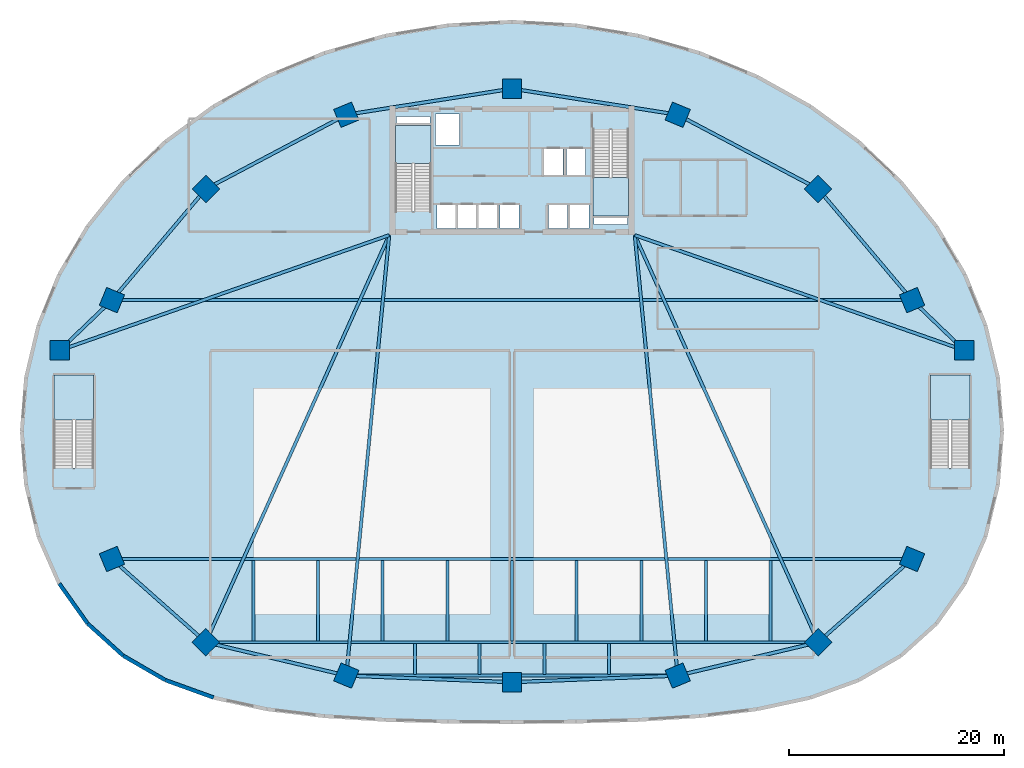
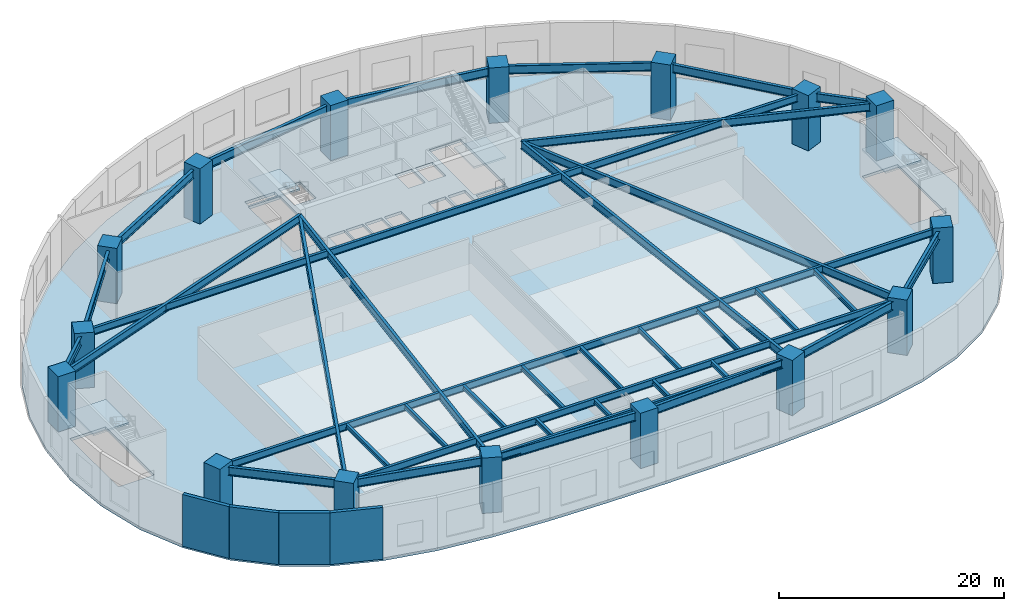
# One storey, part 1 of 10: 37 beams, 16 columns, 5 slabs, 4 walls, 4 elements without a shape of their own.
"""IFC4 building model written with IfcOpenShell, lengths in metres."""

import ifcopenshell
import ifcopenshell.guid

model = None  # the IFC model being written
_history = None  # IfcOwnerHistory: only IFC2X3 demands one
_inside = {}  # id of a spatial element -> (the spatial element, [elements in it])
_under = {}  # id of a project, library or spatial element -> (it, [spatial elements below it])
_declared = {}  # id of a project -> (the project, [libraries it declares])
_typed = {}  # id of a type object -> (the type object, [elements of that type])
_made_of = {}  # id of a material, layer set ... -> (it, [elements and type objects made of it])


def new_model(schema):
    """Start an empty IFC model of exactly this schema.

    Asked for "IFC4X3", IfcOpenShell would pick the latest addendum, in which some entities
    have other attributes; the version numbers below select the first issue.
    IFC2X3 requires an IfcOwnerHistory on every rooted entity: one is made here for all.
    """
    global model, _history
    if schema == "IFC4X3":
        model = ifcopenshell.file(schema_version=(4, 3, 0, 0))
    else:
        model = ifcopenshell.file(schema=schema)
    _inside.clear()
    _under.clear()
    _declared.clear()
    _typed.clear()
    _made_of.clear()
    _history = None
    if model.schema == "IFC2X3":
        org = make("IfcOrganization", Name="unknown")
        user = make(
            "IfcPersonAndOrganization",
            ThePerson=make("IfcPerson", FamilyName="unknown"),
            TheOrganization=org,
        )
        app = make(
            "IfcApplication",
            ApplicationDeveloper=org,
            Version="unknown",
            ApplicationFullName="unknown",
            ApplicationIdentifier="unknown",
        )
        _history = make(
            "IfcOwnerHistory",
            OwningUser=user,
            OwningApplication=app,
            ChangeAction="ADDED",
            CreationDate=0,
        )
    return model


def make(cls, **values):
    """One entity of the class cls with the attributes given. An attribute that is None is left unset."""
    return model.create_entity(
        cls, **{name: value for name, value in values.items() if value is not None}
    )


def rooted(cls, **values):
    """An entity with a GlobalId (a new one), such as an element, a storey or a relation."""
    return make(cls, GlobalId=ifcopenshell.guid.new(), OwnerHistory=_history, **values)


def si_unit(unit_type, name, prefix=None):
    """IfcSIUnit, for example si_unit("LENGTHUNIT", "METRE", prefix="MILLI")."""
    return make("IfcSIUnit", UnitType=unit_type, Prefix=prefix, Name=name)


def assignment(units):
    """IfcUnitAssignment: the units of a project."""
    return None if units is None else make("IfcUnitAssignment", Units=units)


def point(xyz):
    """IfcCartesianPoint."""
    return None if xyz is None else make("IfcCartesianPoint", Coordinates=xyz)


def direction(xyz):
    """IfcDirection."""
    return None if xyz is None else make("IfcDirection", DirectionRatios=xyz)


def frame(location, z_axis=None, x_axis=None):
    """IfcAxis2Placement3D, a coordinate frame: its origin and axes. An axis left out is left unset."""
    return make(
        "IfcAxis2Placement3D",
        Location=point(location),
        Axis=direction(z_axis),
        RefDirection=direction(x_axis),
    )


def frame_2d(location, x_axis=None):
    """IfcAxis2Placement2D, a coordinate frame in the plane: its origin and x axis."""
    return make(
        "IfcAxis2Placement2D", Location=point(location), RefDirection=direction(x_axis)
    )


def origin():
    """The frame at (0, 0, 0) with its axes left unset."""
    return frame((0.0, 0.0, 0.0))


def origin_2d():
    """The frame at (0, 0) in the plane with its x axis left unset."""
    return frame_2d((0.0, 0.0))


def place(relative_to, where):
    """IfcLocalPlacement: puts the frame where relative to a parent placement (None: the world)."""
    return make(
        "IfcLocalPlacement", PlacementRelTo=relative_to, RelativePlacement=where
    )


def context(
    kind, dimensions, precision=None, world=None, true_north=None, identifier=None
):
    """IfcGeometricRepresentationContext, for example the 3D "Model" context."""
    return make(
        "IfcGeometricRepresentationContext",
        ContextIdentifier=identifier,
        ContextType=kind,
        CoordinateSpaceDimension=dimensions,
        Precision=precision,
        WorldCoordinateSystem=world,
        TrueNorth=true_north,
    )


def subcontext(parent, identifier, kind, view, scale=None):
    """IfcGeometricRepresentationSubContext, for example "Body" below "Model"."""
    return make(
        "IfcGeometricRepresentationSubContext",
        ContextIdentifier=identifier,
        ContextType=kind,
        ParentContext=parent,
        TargetScale=scale,
        TargetView=view,
    )


def project(units=None, contexts=None):
    """IfcProject with its units and contexts."""
    return rooted(
        "IfcProject",
        Name="project",
        RepresentationContexts=contexts,
        UnitsInContext=assignment(units),
    )


def spatial(cls, under=None, at=None, **own):
    """A site, building, storey or space (cls), placed at a placement, below another one or the project."""
    s = rooted(cls, ObjectPlacement=at, **own)
    if under is not None:
        _under.setdefault(under.id(), (under, []))[1].append(s)
    return s


def polyline(points):
    """IfcPolyline through the points."""
    return make("IfcPolyline", Points=[point(p) for p in points])


def profile(cls, at=None, kind="AREA", **sizes):
    """A parametric profile (cls). Its sizes go by their IFC names, for example OverallWidth=200.0."""
    return make(cls, ProfileType=kind, Position=at, **sizes)


def rectangle(**sizes):
    """IfcRectangleProfileDef."""
    return profile("IfcRectangleProfileDef", **sizes)


def i_section(**sizes):
    """IfcIShapeProfileDef."""
    return profile("IfcIShapeProfileDef", **sizes)


def outline(outer, holes=None, kind="AREA"):
    """IfcArbitraryClosedProfileDef: a profile drawn as a closed curve; with holes, ...WithVoids."""
    if holes is None:
        return make("IfcArbitraryClosedProfileDef", ProfileType=kind, OuterCurve=outer)
    return make(
        "IfcArbitraryProfileDefWithVoids",
        ProfileType=kind,
        OuterCurve=outer,
        InnerCurves=holes,
    )


def extrude(swept, where, along, depth):
    """IfcExtrudedAreaSolid: the profile swept, set in the frame where, extruded along a direction by depth."""
    return make(
        "IfcExtrudedAreaSolid",
        SweptArea=swept,
        Position=where,
        ExtrudedDirection=direction(along),
        Depth=depth,
    )


def shape(context_of_items, identifier, shape_type, items):
    """IfcShapeRepresentation: the items that make up one representation, for example the "Body"."""
    return make(
        "IfcShapeRepresentation",
        ContextOfItems=context_of_items,
        RepresentationIdentifier=identifier,
        RepresentationType=shape_type,
        Items=items,
    )


def source(mapping_origin, context_of_items, identifier, shape_type, items):
    """IfcRepresentationMap: a shape defined once, which mapped items show again and again."""
    return make(
        "IfcRepresentationMap",
        MappingOrigin=mapping_origin,
        MappedRepresentation=shape(context_of_items, identifier, shape_type, items),
    )


def transform(
    local_origin,
    x_axis=None,
    y_axis=None,
    z_axis=None,
    scale=None,
    scale2=None,
    scale3=None,
    uniform=True,
):
    """IfcCartesianTransformationOperator3D, or its non-uniform kind. x_axis, y_axis, z_axis: its Axis1, 2, 3."""
    if uniform:
        return make(
            "IfcCartesianTransformationOperator3D",
            Axis1=direction(x_axis),
            Axis2=direction(y_axis),
            LocalOrigin=point(local_origin),
            Scale=scale,
            Axis3=direction(z_axis),
        )
    return make(
        "IfcCartesianTransformationOperator3DnonUniform",
        Axis1=direction(x_axis),
        Axis2=direction(y_axis),
        LocalOrigin=point(local_origin),
        Scale=scale,
        Axis3=direction(z_axis),
        Scale2=scale2,
        Scale3=scale3,
    )


def mapped(mapping_source, mapping_target):
    """IfcMappedItem: shows the shape of a source again, moved by a transform."""
    return make(
        "IfcMappedItem", MappingSource=mapping_source, MappingTarget=mapping_target
    )


def material(Name=None, Category=None):
    """IfcMaterial."""
    return make("IfcMaterial", Name=Name, Category=Category)


def layer(
    of_material, thickness, ventilated=None, Name=None, Category=None, Priority=None
):
    """IfcMaterialLayer: one layer of a wall or slab, of a material (None: an air gap)."""
    return make(
        "IfcMaterialLayer",
        Material=of_material,
        LayerThickness=thickness,
        IsVentilated=ventilated,
        Name=Name,
        Category=Category,
        Priority=Priority,
    )


def layer_set(layers, Name=None):
    """IfcMaterialLayerSet."""
    return make("IfcMaterialLayerSet", MaterialLayers=layers, LayerSetName=Name)


def material_profile(
    of_material, cross_section, Name=None, Category=None, Priority=None
):
    """IfcMaterialProfile: a cross section and its material."""
    return make(
        "IfcMaterialProfile",
        Name=Name,
        Material=of_material,
        Profile=cross_section,
        Priority=Priority,
        Category=Category,
    )


def profile_set(profiles, Name=None, composite=None):
    """IfcMaterialProfileSet."""
    return make(
        "IfcMaterialProfileSet",
        Name=Name,
        MaterialProfiles=profiles,
        CompositeProfile=composite,
    )


def made_of(thing, what):
    """Note that an element or type object is made of a material, layer set ...; save() writes the relation."""
    if what is not None:
        _made_of.setdefault(what.id(), (what, []))[1].append(thing)
    return thing


def type_object(cls, material=None, **own):
    """A type object (cls), such as IfcWallType, which elements share."""
    return made_of(rooted(cls, **own), material)


def type_shapes(of_type, sources):
    """Give a type object the sources (RepresentationMaps) that its elements show as mapped items."""
    of_type.RepresentationMaps = sources


def element(
    cls,
    number,
    at=None,
    inside=None,
    cuts=None,
    type_object=None,
    material=None,
    context=None,
    identifier="Body",
    shape_type=None,
    held_by="IfcProductDefinitionShape",
    body=None,
    shapes=None,
    **own,
):
    """One element of the class cls, such as IfcWall. Its Tag is "e" and its number.

    at: its placement. inside: the storey or other place that contains it. cuts: it is an
    opening in that element (IfcRelVoidsElement). A single representation is given by context,
    identifier, shape_type and body (its items); several are given by shapes. held_by: the class
    of the entity that holds the representations. save() writes the other relations.
    """
    e = rooted(cls, Tag="e%d" % number, ObjectPlacement=at, **own)
    if body is not None:
        shapes = [shape(context, identifier, shape_type, body)]
    if shapes is not None:
        e.Representation = make(held_by, Representations=shapes)
    if inside is not None:
        _inside.setdefault(inside.id(), (inside, []))[1].append(e)
    if cuts is not None:
        rooted(
            "IfcRelVoidsElement", RelatingBuildingElement=cuts, RelatedOpeningElement=e
        )
    if type_object is not None:
        _typed.setdefault(type_object.id(), (type_object, []))[1].append(e)
    return made_of(e, material)


def aggregate(whole, parts):
    """IfcRelAggregates: a whole, such as a stair, and the parts it consists of."""
    return rooted("IfcRelAggregates", RelatingObject=whole, RelatedObjects=parts)


def save(model, path):
    """Write the relations noted so far, then the file.

    IfcRelAggregates (storeys below a building ...), IfcRelContainedInSpatialStructure (elements
    in a storey), IfcRelDefinesByType, IfcRelAssociatesMaterial and IfcRelDeclares: one each for
    every whole, place, type object, material and project.
    """
    for whole, parts in _under.values():
        aggregate(whole, parts)
    for where, things in _inside.values():
        rooted(
            "IfcRelContainedInSpatialStructure",
            RelatedElements=things,
            RelatingStructure=where,
        )
    for kind, things in _typed.values():
        rooted("IfcRelDefinesByType", RelatedObjects=things, RelatingType=kind)
    for what, things in _made_of.values():
        rooted("IfcRelAssociatesMaterial", RelatedObjects=things, RelatingMaterial=what)
    for by, libraries in _declared.values():
        rooted("IfcRelDeclares", RelatingContext=by, RelatedDefinitions=libraries)
    model.write(path)


model = new_model("IFC4")

# Units and contexts
model_context = context("Model", 3, precision=1e-05, world=origin(), true_north=direction((0.0, 1.0)))
body_context = subcontext(model_context, "Body", "Model", "MODEL_VIEW")
ifc_project = project(units=[si_unit("LENGTHUNIT", "METRE"), si_unit("AREAUNIT", "SQUARE_METRE"), si_unit("VOLUMEUNIT", "CUBIC_METRE"), si_unit("PLANEANGLEUNIT", "RADIAN"), si_unit("MASSUNIT", "GRAM", prefix="KILO")], contexts=[model_context])

# Site, building, storey
site_placement = place(None, origin())
site = spatial("IfcSite", under=ifc_project, at=site_placement, CompositionType="ELEMENT")
building_placement = place(site_placement, origin())
building = spatial("IfcBuilding", under=site, at=building_placement, Name="Breltana Convention Tower", CompositionType="ELEMENT")
storey_placement = place(building_placement, frame((0.0, 0.0, 18.0)))
storey = spatial("IfcBuildingStorey", under=building, at=storey_placement, Name="L03", CompositionType="ELEMENT", Elevation=18.0)

# Columns
ifc_material_1 = material(Name="Concrete C60/75", Category="concrete")
ifc_material_profile_1 = material_profile(ifc_material_1, rectangle(XDim=1.800048828125, YDim=1.800048828125, at=origin_2d()), Name="RC-COL-1800X1800")
ifc_profile_set_1 = profile_set([ifc_material_profile_1], Name="Concrete C60/75")
column_type = type_object("IfcColumnType", Name="COL-MC-1800", PredefinedType="COLUMN", material=ifc_profile_set_1)
shared_shape_1 = source(origin(), body_context, "Body", "SweptSolid", [
    extrude(rectangle(XDim=1.800048828125, YDim=1.800048828125, at=origin_2d()), origin(), (0.0, 0.0, 1.0), 6.0),
])
type_shapes(column_type, [shared_shape_1])
for number, where, z_axis, x_axis, name in (
    (1, (90.0, 49.5, 0.0), (0.0, 0.0, 1.0), (1.0, 0.0, 0.0), "L03 Podium Mega-Column MC-01"),
    (2, (85.139892578125, 54.169189453125, 0.0), (0.0, 0.0, 1.0), (0.923879532511, 0.382683432365, 0.0), "L03 Podium Mega-Column MC-02"),
    (3, (76.42578125, 64.486083984375, 0.0), (0.0, 0.0, 1.0), (0.707106781187, 0.707106781187, 0.0), "L03 Podium Mega-Column MC-03"),
    (4, (63.3837890625, 71.37939453125, 0.0), (0.0, 0.0, 1.0), (0.382683432365, 0.923879532511, 0.0), "L03 Podium Mega-Column MC-04"),
    (5, (48.0, 73.800048828125, 0.0), (0.0, 0.0, 1.0), (0.0, 1.0, 0.0), "L03 Podium Mega-Column MC-05"),
    (6, (32.6162109375, 71.37939453125, 0.0), (0.0, 0.0, 1.0), (-0.382683432365, 0.923879532511, 0.0), "L03 Podium Mega-Column MC-06"),
    (7, (19.57421875, 64.486083984375, 0.0), (0.0, 0.0, 1.0), (-0.707106781187, 0.707106781187, 0.0), "L03 Podium Mega-Column MC-07"),
    (8, (10.860107421875, 54.169189453125, 0.0), (0.0, 0.0, 1.0), (-0.923879532511, 0.382683432365, 0.0), "L03 Podium Mega-Column MC-08"),
    (9, (6.0, 49.5, 0.0), (0.0, 0.0, 1.0), (-1.0, 0.0, 0.0), "L03 Podium Mega-Column MC-09"),
    (10, (10.860107421875, 30.136962890625, 0.0), (0.0, 0.0, 1.0), (-0.923879532511, -0.382683432365, 0.0), "L03 Podium Mega-Column MC-10"),
    (11, (19.57421875, 22.412109375, 0.0), (0.0, 0.0, 1.0), (-0.707106781187, -0.707106781187, 0.0), "L03 Podium Mega-Column MC-11"),
    (12, (32.6162109375, 19.3125, 0.0), (0.0, 0.0, 1.0), (-0.382683432365, -0.923879532511, 0.0), "L03 Podium Mega-Column MC-12"),
    (13, (48.0, 18.699951171875, 0.0), (0.0, 0.0, 1.0), (0.0, -1.0, 0.0), "L03 Podium Mega-Column MC-13"),
    (14, (63.3837890625, 19.3125, 0.0), (0.0, 0.0, 1.0), (0.382683432365, -0.923879532511, 0.0), "L03 Podium Mega-Column MC-14"),
    (15, (76.42578125, 22.412109375, 0.0), (0.0, 0.0, 1.0), (0.707106781187, -0.707106781187, 0.0), "L03 Podium Mega-Column MC-15"),
    (16, (85.139892578125, 30.136962890625, 0.0), (0.0, 0.0, 1.0), (0.923879532511, -0.382683432365, 0.0), "L03 Podium Mega-Column MC-16"),
):
    element("IfcColumn", number, at=place(storey_placement, frame(where, z_axis=z_axis, x_axis=x_axis)), inside=storey, type_object=column_type, Name=name, PredefinedType="COLUMN", context=body_context, shape_type="MappedRepresentation", body=[
        mapped(shared_shape_1, transform((0.0, 0.0, 0.0), scale=1.0)),
    ])

# Beams
ifc_material_2 = material(Name="Steel ASTM A992 Grade 50", Category="steel")
ifc_material_profile_2 = material_profile(ifc_material_2, i_section(OverallWidth=0.304931640625, OverallDepth=0.9189453125, WebThickness=0.017333984375, FlangeThickness=0.02783203125, at=origin_2d()), Name="W36X170")
ifc_profile_set_2 = profile_set([ifc_material_profile_2], Name="Steel ASTM A992 Grade 50")
beam_type_1 = type_object("IfcBeamType", Name="BM-PD-W36X170", PredefinedType="USERDEFINED", material=ifc_profile_set_2)
shared_shape_2 = source(origin(), body_context, "Body", "SweptSolid", [
    extrude(i_section(OverallWidth=0.304931640625, OverallDepth=0.9189453125, WebThickness=0.017333984375, FlangeThickness=0.02783203125, at=origin_2d()), origin(), (0.0, 0.0, 1.0), 6.739501953125),
])
type_shapes(beam_type_1, [shared_shape_2])
for number, where, z_axis, x_axis, name in (
    (17, (90.0, 49.5, 5.160400390625), (-0.721128840463, 0.692800978242, 0.0), (-0.692800978242, -0.721128840463, 0.0), "L03 Podium Ring Girder 01"),
    (18, (10.860107421875, 54.169189453125, 5.160400390625), (-0.721128840463, -0.692800978242, 0.0), (0.692800978242, -0.721128840463, 0.0), "L03 Podium Ring Girder 08"),
):
    element("IfcBeam", number, at=place(storey_placement, frame(where, z_axis=z_axis, x_axis=x_axis)), inside=storey, type_object=beam_type_1, Name=name, ObjectType="GIRDER", PredefinedType="USERDEFINED", context=body_context, shape_type="MappedRepresentation", body=[
        mapped(shared_shape_2, transform((0.0, 0.0, 0.0), scale=1.0)),
    ])
shared_shape_3 = source(origin(), body_context, "Body", "SweptSolid", [
    extrude(i_section(OverallWidth=0.304931640625, OverallDepth=0.9189453125, WebThickness=0.017333984375, FlangeThickness=0.02783203125, at=origin_2d()), origin(), (0.0, 0.0, 1.0), 13.504638671875),
])
for number, where, z_axis, x_axis, name in (
    (19, (85.139892578125, 54.169189453125, 5.160400390625), (-0.645270162831, 0.763954460004, 0.0), (-0.763954460004, -0.645270162831, 0.0), "L03 Podium Ring Girder 02"),
    (20, (19.57421875, 64.486083984375, 5.160400390625), (-0.645270162831, -0.763954460004, 0.0), (0.763954460004, -0.645270162831, 0.0), "L03 Podium Ring Girder 07"),
):
    element("IfcBeam", number, at=place(storey_placement, frame(where, z_axis=z_axis, x_axis=x_axis)), inside=storey, type_object=beam_type_1, Name=name, ObjectType="GIRDER", PredefinedType="USERDEFINED", context=body_context, shape_type="MappedRepresentation", body=[
        mapped(shared_shape_3, transform((0.0, 0.0, 0.0), scale=1.0)),
    ])
shared_shape_4 = source(origin(), body_context, "Body", "SweptSolid", [
    extrude(i_section(OverallWidth=0.304931640625, OverallDepth=0.9189453125, WebThickness=0.017333984375, FlangeThickness=0.02783203125, at=origin_2d()), origin(), (0.0, 0.0, 1.0), 14.751708984375),
])
for number, where, z_axis, x_axis, name in (
    (21, (76.42578125, 64.486083984375, 5.160400390625), (-0.884103731281, 0.467290693611, 0.0), (-0.467290693611, -0.884103731281, 0.0), "L03 Podium Ring Girder 03"),
    (22, (32.6162109375, 71.37939453125, 5.160400390625), (-0.884103731281, -0.467290693611, 0.0), (0.467290693611, -0.884103731281, 0.0), "L03 Podium Ring Girder 06"),
):
    element("IfcBeam", number, at=place(storey_placement, frame(where, z_axis=z_axis, x_axis=x_axis)), inside=storey, type_object=beam_type_1, Name=name, ObjectType="GIRDER", PredefinedType="USERDEFINED", context=body_context, shape_type="MappedRepresentation", body=[
        mapped(shared_shape_4, transform((0.0, 0.0, 0.0), scale=1.0)),
    ])
shared_shape_5 = source(origin(), body_context, "Body", "SweptSolid", [
    extrude(i_section(OverallWidth=0.304931640625, OverallDepth=0.9189453125, WebThickness=0.017333984375, FlangeThickness=0.02783203125, at=origin_2d()), origin(), (0.0, 0.0, 1.0), 15.572998046875),
])
for number, where, z_axis, x_axis, name in (
    (23, (63.3837890625, 71.37939453125, 5.160400390625), (-0.987845575975, 0.155438470225, 0.0), (-0.155438470225, -0.987845575975, 0.0), "L03 Podium Ring Girder 04"),
    (24, (48.0, 73.800048828125, 5.160400390625), (-0.987845575975, -0.155438470225, 0.0), (0.155438470225, -0.987845575975, 0.0), "L03 Podium Ring Girder 05"),
):
    element("IfcBeam", number, at=place(storey_placement, frame(where, z_axis=z_axis, x_axis=x_axis)), inside=storey, type_object=beam_type_1, Name=name, ObjectType="GIRDER", PredefinedType="USERDEFINED", context=body_context, shape_type="MappedRepresentation", body=[
        mapped(shared_shape_5, transform((0.0, 0.0, 0.0), scale=1.0)),
    ])
shared_shape_6 = source(origin(), body_context, "Body", "SweptSolid", [
    extrude(i_section(OverallWidth=0.304931640625, OverallDepth=0.9189453125, WebThickness=0.017333984375, FlangeThickness=0.02783203125, at=origin_2d()), origin(), (0.0, 0.0, 1.0), 11.64501953125),
])
for number, where, z_axis, x_axis, name in (
    (25, (10.860107421875, 30.136962890625, 5.160400390625), (0.748305074373, -0.663354743458, 0.0), (0.663354743458, 0.748305074373, 0.0), "L03 Podium Ring Girder 10"),
    (26, (76.42578125, 22.412109375, 5.160400390625), (0.748305074373, 0.663354743458, 0.0), (-0.663354743458, 0.748305074373, 0.0), "L03 Podium Ring Girder 15"),
):
    element("IfcBeam", number, at=place(storey_placement, frame(where, z_axis=z_axis, x_axis=x_axis)), inside=storey, type_object=beam_type_1, Name=name, ObjectType="GIRDER", PredefinedType="USERDEFINED", context=body_context, shape_type="MappedRepresentation", body=[
        mapped(shared_shape_6, transform((0.0, 0.0, 0.0), scale=1.0)),
    ])
shared_shape_7 = source(origin(), body_context, "Body", "SweptSolid", [
    extrude(i_section(OverallWidth=0.304931640625, OverallDepth=0.9189453125, WebThickness=0.017333984375, FlangeThickness=0.02783203125, at=origin_2d()), origin(), (0.0, 0.0, 1.0), 13.4052734375),
])
for number, where, z_axis, x_axis, name in (
    (27, (19.57421875, 22.412109375, 5.160400390625), (0.972900712446, -0.231223276773, 0.0), (0.231223276773, 0.972900712446, 0.0), "L03 Podium Ring Girder 11"),
    (28, (63.3837890625, 19.3125, 5.160400390625), (0.972900712446, 0.231223276773, 0.0), (-0.231223276773, 0.972900712446, 0.0), "L03 Podium Ring Girder 14"),
):
    element("IfcBeam", number, at=place(storey_placement, frame(where, z_axis=z_axis, x_axis=x_axis)), inside=storey, type_object=beam_type_1, Name=name, ObjectType="GIRDER", PredefinedType="USERDEFINED", context=body_context, shape_type="MappedRepresentation", body=[
        mapped(shared_shape_7, transform((0.0, 0.0, 0.0), scale=1.0)),
    ])
shared_shape_8 = source(origin(), body_context, "Body", "SweptSolid", [
    extrude(i_section(OverallWidth=0.304931640625, OverallDepth=0.9189453125, WebThickness=0.017333984375, FlangeThickness=0.02783203125, at=origin_2d()), origin(), (0.0, 0.0, 1.0), 15.39599609375),
])
for number, where, z_axis, x_axis, name in (
    (29, (32.6162109375, 19.3125, 5.160400390625), (0.99920821229, -0.039786285226, 0.0), (0.039786285226, 0.99920821229, 0.0), "L03 Podium Ring Girder 12"),
    (30, (48.0, 18.699951171875, 5.160400390625), (0.99920821229, 0.039786285226, 0.0), (-0.039786285226, 0.99920821229, 0.0), "L03 Podium Ring Girder 13"),
):
    element("IfcBeam", number, at=place(storey_placement, frame(where, z_axis=z_axis, x_axis=x_axis)), inside=storey, type_object=beam_type_1, Name=name, ObjectType="GIRDER", PredefinedType="USERDEFINED", context=body_context, shape_type="MappedRepresentation", body=[
        mapped(shared_shape_8, transform((0.0, 0.0, 0.0), scale=1.0)),
    ])
ifc_material_profile_3 = material_profile(ifc_material_2, i_section(OverallWidth=0.2919921875, OverallDepth=0.845947265625, WebThickness=0.015380859375, FlangeThickness=0.0244140625, at=origin_2d()), Name="W33X141")
ifc_profile_set_3 = profile_set([ifc_material_profile_3], Name="Steel ASTM A992 Grade 50")
beam_type_2 = type_object("IfcBeamType", Name="BM-PD-W33X141", PredefinedType="USERDEFINED", material=ifc_profile_set_3)
shared_shape_9 = source(origin(), body_context, "Body", "SweptSolid", [
    extrude(i_section(OverallWidth=0.2919921875, OverallDepth=0.845947265625, WebThickness=0.015380859375, FlangeThickness=0.0244140625, at=origin_2d()), origin(), (0.0, 0.0, 1.0), 32.4169921875),
])
type_shapes(beam_type_2, [shared_shape_9])
for number, where, z_axis, x_axis, name in (
    (31, (90.0, 49.5, 5.197021484375), (-0.943955299763, 0.330073313143, 0.0), (-0.330073313143, -0.943955299763, 0.0), "L03 Long-Span Convention Girder 01"),
    (32, (6.0, 49.5, 5.197021484375), (0.943955299763, 0.330073313143, 0.0), (-0.330073313143, 0.943955299763, 0.0), "L03 Long-Span Convention Girder 09"),
):
    element("IfcBeam", number, at=place(storey_placement, frame(where, z_axis=z_axis, x_axis=x_axis)), inside=storey, type_object=beam_type_2, Name=name, ObjectType="GIRDER", PredefinedType="USERDEFINED", context=body_context, shape_type="MappedRepresentation", body=[
        mapped(shared_shape_9, transform((0.0, 0.0, 0.0), scale=1.0)),
    ])
shared_shape_10 = source(origin(), body_context, "Body", "SweptSolid", [
    extrude(i_section(OverallWidth=0.2919921875, OverallDepth=0.845947265625, WebThickness=0.015380859375, FlangeThickness=0.0244140625, at=origin_2d()), origin(), (0.0, 0.0, 1.0), 41.4462890625),
])
for number, where, z_axis, x_axis, name in (
    (33, (19.57421875, 22.412109375, 5.197021484375), (0.410793011164, 0.911728633958, 0.0), (-0.911728633958, 0.410793011164, 0.0), "L03 Long-Span Convention Girder 11"),
    (34, (76.42578125, 22.412109375, 5.197021484375), (-0.410793011164, 0.911728633958, 0.0), (-0.911728633958, -0.410793011164, 0.0), "L03 Long-Span Convention Girder 15"),
):
    element("IfcBeam", number, at=place(storey_placement, frame(where, z_axis=z_axis, x_axis=x_axis)), inside=storey, type_object=beam_type_2, Name=name, ObjectType="GIRDER", PredefinedType="USERDEFINED", context=body_context, shape_type="MappedRepresentation", body=[
        mapped(shared_shape_10, transform((0.0, 0.0, 0.0), scale=1.0)),
    ])
shared_shape_11 = source(origin(), body_context, "Body", "SweptSolid", [
    extrude(i_section(OverallWidth=0.2919921875, OverallDepth=0.845947265625, WebThickness=0.015380859375, FlangeThickness=0.0244140625, at=origin_2d()), origin(), (0.0, 0.0, 1.0), 41.0810546875),
])
for number, where, z_axis, x_axis, name in (
    (35, (32.6162109375, 19.3125, 5.197021484375), (0.096976195785, 0.995286701132, 0.0), (-0.995286701132, 0.096976195785, 0.0), "L03 Long-Span Convention Girder 12"),
    (36, (63.3837890625, 19.3125, 5.197021484375), (-0.096976195785, 0.995286701132, 0.0), (-0.995286701132, -0.096976195785, 0.0), "L03 Long-Span Convention Girder 14"),
):
    element("IfcBeam", number, at=place(storey_placement, frame(where, z_axis=z_axis, x_axis=x_axis)), inside=storey, type_object=beam_type_2, Name=name, ObjectType="GIRDER", PredefinedType="USERDEFINED", context=body_context, shape_type="MappedRepresentation", body=[
        mapped(shared_shape_11, transform((0.0, 0.0, 0.0), scale=1.0)),
    ])
ifc_material_profile_4 = material_profile(ifc_material_2, i_section(OverallWidth=0.26708984375, OverallDepth=0.761962890625, WebThickness=0.014404296875, FlangeThickness=0.021484375, at=origin_2d()), Name="W30X116")
ifc_profile_set_4 = profile_set([ifc_material_profile_4], Name="Steel ASTM A992 Grade 50")
beam_type_3 = type_object("IfcBeamType", Name="BM-PD-W30X116", PredefinedType="BEAM", material=ifc_profile_set_4)
shared_shape_12 = source(origin(), body_context, "Body", "SweptSolid", [
    extrude(i_section(OverallWidth=0.26708984375, OverallDepth=0.761962890625, WebThickness=0.014404296875, FlangeThickness=0.021484375, at=origin_2d()), origin(), (0.0, 0.0, 1.0), 74.27978515625),
])
type_shapes(beam_type_3, [shared_shape_12])
for number, where, z_axis, x_axis, name in (
    (37, (10.860107421875, 30.136962890625, 5.239013671875), (1.0, 0.0, 0.0), (0.0, 1.0, 0.0), "L03 Long-Span Hall Secondary Beam 01"),
    (38, (10.860107421875, 54.169189453125, 5.239013671875), (1.0, 0.0, 0.0), (0.0, 1.0, 0.0), "L03 Long-Span Hall Secondary Beam 04"),
):
    element("IfcBeam", number, at=place(storey_placement, frame(where, z_axis=z_axis, x_axis=x_axis)), inside=storey, type_object=beam_type_3, Name=name, PredefinedType="BEAM", context=body_context, shape_type="MappedRepresentation", body=[
        mapped(shared_shape_12, transform((0.0, 0.0, 0.0), scale=1.0)),
    ])
shared_shape_13 = source(origin(), body_context, "Body", "SweptSolid", [
    extrude(i_section(OverallWidth=0.26708984375, OverallDepth=0.761962890625, WebThickness=0.014404296875, FlangeThickness=0.021484375, at=origin_2d()), origin(), (0.0, 0.0, 1.0), 56.8515625),
])
beam_1_placement = place(storey_placement, frame((19.57421875, 22.412109375, 5.239013671875), z_axis=(1.0, 0.0, 0.0), x_axis=(0.0, 1.0, 0.0)))
element("IfcBeam", 39, at=beam_1_placement, inside=storey, type_object=beam_type_3, Name="L03 Long-Span Hall Secondary Beam 02", PredefinedType="BEAM", context=body_context, shape_type="MappedRepresentation", body=[
    mapped(shared_shape_13, transform((0.0, 0.0, 0.0), scale=1.0)),
])
shared_shape_14 = source(origin(), body_context, "Body", "SweptSolid", [
    extrude(i_section(OverallWidth=0.26708984375, OverallDepth=0.761962890625, WebThickness=0.014404296875, FlangeThickness=0.021484375, at=origin_2d()), origin(), (0.0, 0.0, 1.0), 30.767578125),
])
beam_2_placement = place(storey_placement, frame((32.6162109375, 19.3125, 5.239013671875), z_axis=(1.0, 0.0, 0.0), x_axis=(0.0, 1.0, 0.0)))
element("IfcBeam", 40, at=beam_2_placement, inside=storey, type_object=beam_type_3, Name="L03 Long-Span Hall Secondary Beam 03", PredefinedType="BEAM", context=body_context, shape_type="MappedRepresentation", body=[
    mapped(shared_shape_14, transform((0.0, 0.0, 0.0), scale=1.0)),
])
ifc_material_profile_5 = material_profile(ifc_material_2, i_section(OverallWidth=0.280029296875, OverallDepth=0.462890625, WebThickness=0.0107421875, FlangeThickness=0.017333984375, at=origin_2d()), Name="W18X76")
ifc_profile_set_5 = profile_set([ifc_material_profile_5], Name="Steel ASTM A992 Grade 50")
beam_type_4 = type_object("IfcBeamType", Name="BM-JS-W18X76", PredefinedType="JOIST", material=ifc_profile_set_5)
shared_shape_15 = source(origin(), body_context, "Body", "SweptSolid", [
    extrude(i_section(OverallWidth=0.280029296875, OverallDepth=0.462890625, WebThickness=0.0107421875, FlangeThickness=0.017333984375, at=origin_2d()), origin(), (0.0, 0.0, 1.0), 7.48486328125),
])
type_shapes(beam_type_4, [shared_shape_15])
for number, where, z_axis, x_axis, name in (
    (41, (24.0, 22.531982421875, 5.388427734375), (0.0, 1.0, 0.0), (-1.0, 0.0, 0.0), "L03 Hall Span Joist 1.24"),
    (42, (30.0, 22.531982421875, 5.388427734375), (0.0, 1.0, 0.0), (-1.0, 0.0, 0.0), "L03 Hall Span Joist 1.30"),
    (43, (36.0, 22.531982421875, 5.388427734375), (0.0, 1.0, 0.0), (-1.0, 0.0, 0.0), "L03 Hall Span Joist 1.36"),
    (44, (42.0, 22.531982421875, 5.388427734375), (0.0, 1.0, 0.0), (-1.0, 0.0, 0.0), "L03 Hall Span Joist 1.42"),
    (45, (48.0, 22.531982421875, 5.388427734375), (0.0, 1.0, 0.0), (-1.0, 0.0, 0.0), "L03 Hall Span Joist 1.48"),
    (46, (54.0, 22.531982421875, 5.388427734375), (0.0, 1.0, 0.0), (-1.0, 0.0, 0.0), "L03 Hall Span Joist 1.54"),
    (47, (60.0, 22.531982421875, 5.388427734375), (0.0, 1.0, 0.0), (-1.0, 0.0, 0.0), "L03 Hall Span Joist 1.60"),
    (48, (66.0, 22.531982421875, 5.388427734375), (0.0, 1.0, 0.0), (-1.0, 0.0, 0.0), "L03 Hall Span Joist 1.66"),
    (49, (72.0, 22.531982421875, 5.388427734375), (0.0, 1.0, 0.0), (-1.0, 0.0, 0.0), "L03 Hall Span Joist 1.72"),
):
    element("IfcBeam", number, at=place(storey_placement, frame(where, z_axis=z_axis, x_axis=x_axis)), inside=storey, type_object=beam_type_4, Name=name, PredefinedType="JOIST", context=body_context, shape_type="MappedRepresentation", body=[
        mapped(shared_shape_15, transform((0.0, 0.0, 0.0), scale=1.0)),
    ])
shared_shape_16 = source(origin(), body_context, "Body", "SweptSolid", [
    extrude(i_section(OverallWidth=0.280029296875, OverallDepth=0.462890625, WebThickness=0.0107421875, FlangeThickness=0.017333984375, at=origin_2d()), origin(), (0.0, 0.0, 1.0), 2.859375),
])
for number, where, z_axis, x_axis, name in (
    (50, (39.0, 19.4326171875, 5.388427734375), (0.0, 1.0, 0.0), (-1.0, 0.0, 0.0), "L03 Hall Span Joist 2.39"),
    (51, (45.0, 19.4326171875, 5.388427734375), (0.0, 1.0, 0.0), (-1.0, 0.0, 0.0), "L03 Hall Span Joist 2.45"),
    (52, (51.0, 19.4326171875, 5.388427734375), (0.0, 1.0, 0.0), (-1.0, 0.0, 0.0), "L03 Hall Span Joist 2.51"),
    (53, (57.0, 19.4326171875, 5.388427734375), (0.0, 1.0, 0.0), (-1.0, 0.0, 0.0), "L03 Hall Span Joist 2.57"),
):
    element("IfcBeam", number, at=place(storey_placement, frame(where, z_axis=z_axis, x_axis=x_axis)), inside=storey, type_object=beam_type_4, Name=name, PredefinedType="JOIST", context=body_context, shape_type="MappedRepresentation", body=[
        mapped(shared_shape_16, transform((0.0, 0.0, 0.0), scale=1.0)),
    ])

# Slab
ifc_material_3 = material(Name="Concrete C40/50", Category="concrete")
ifc_layer_1 = layer(ifc_material_3, 0.300048828125, Name="Concrete C40/50")
ifc_layer_set_1 = layer_set([ifc_layer_1], Name="Concrete C40/50")
slab_type_1 = type_object("IfcSlabType", Name="SL-POD-300", PredefinedType="FLOOR", material=ifc_layer_set_1)
slab_1_placement = place(storey_placement, frame((0.0, 0.0, -0.300048828125)))
element("IfcSlab", 54, at=slab_1_placement, inside=storey, type_object=slab_type_1, Name="L03 Suspended Structural Floor Slab", PredefinedType="FLOOR", context=body_context, shape_type="SweptSolid", body=[
    extrude(outline(polyline([(93.5, 42.0), (93.110595703125, 46.9599609375), (91.94970703125, 51.835205078125), (90.03662109375, 56.5419921875), (87.404296875, 61.0), (84.09765625, 65.1328125), (80.17333984375, 68.8701171875), (75.698486328125, 72.1474609375), (70.75, 74.908935546875), (65.412109375, 77.107421875), (59.7763671875, 78.705078125), (53.93896484375, 79.6748046875), (48.0, 80.0), (42.06103515625, 79.6748046875), (36.2236328125, 78.705078125), (30.587890625, 77.107421875), (25.25, 74.908935546875), (20.301513671875, 72.1474609375), (15.82666015625, 68.8701171875), (11.90234375, 65.1328125), (8.595703125, 61.0), (5.96337890625, 56.5419921875), (4.05029296875, 51.835205078125), (2.889404296875, 46.9599609375), (2.5, 42.0), (2.889404296875, 37.0400390625), (4.05029296875, 32.20849609375), (5.96337890625, 27.854248046875), (8.595703125, 24.14501953125), (11.90234375, 21.154052734375), (15.82666015625, 18.880615234375), (20.301513671875, 17.2626953125), (25.25, 16.196044921875), (30.587890625, 15.552734375), (36.2236328125, 15.205078125), (42.06103515625, 15.044921875), (48.0, 15.0), (53.93896484375, 15.044921875), (59.7763671875, 15.205078125), (65.412109375, 15.552734375), (70.75, 16.196044921875), (75.698486328125, 17.2626953125), (80.17333984375, 18.880615234375), (84.09765625, 21.154052734375), (87.404296875, 24.14501953125), (90.03662109375, 27.854248046875), (91.94970703125, 32.20849609375), (93.110595703125, 37.0400390625), (93.5, 42.0)]), holes=[polyline([(37.199951171875, 62.385009765625), (40.469970703125, 62.385009765625), (40.469970703125, 70.39990234375), (37.199951171875, 70.39990234375), (37.199951171875, 62.385009765625)]), polyline([(55.530029296875, 62.0), (58.800048828125, 62.0), (58.800048828125, 70.014892578125), (55.530029296875, 70.014892578125), (55.530029296875, 62.0)]), polyline([(5.5, 38.5849609375), (9.169921875, 38.5849609375), (9.169921875, 47.199951171875), (5.5, 47.199951171875), (5.5, 38.5849609375)]), polyline([(86.830078125, 38.5849609375), (90.5, 38.5849609375), (90.5, 47.199951171875), (86.830078125, 47.199951171875), (86.830078125, 38.5849609375)]), polyline([(41.0400390625, 60.800048828125), (42.800048828125, 60.800048828125), (42.800048828125, 62.97998046875), (41.0400390625, 62.97998046875), (41.0400390625, 60.800048828125)]), polyline([(42.93994140625, 60.800048828125), (44.699951171875, 60.800048828125), (44.699951171875, 62.97998046875), (42.93994140625, 62.97998046875), (42.93994140625, 60.800048828125)]), polyline([(44.8701171875, 60.800048828125), (46.6298828125, 60.800048828125), (46.6298828125, 62.97998046875), (44.8701171875, 62.97998046875), (44.8701171875, 60.800048828125)]), polyline([(46.8701171875, 60.800048828125), (48.6298828125, 60.800048828125), (48.6298828125, 62.97998046875), (46.8701171875, 62.97998046875), (46.8701171875, 60.800048828125)]), polyline([(51.39990234375, 60.800048828125), (53.159912109375, 60.800048828125), (53.159912109375, 62.97998046875), (51.39990234375, 62.97998046875), (51.39990234375, 60.800048828125)]), polyline([(53.39990234375, 60.800048828125), (55.159912109375, 60.800048828125), (55.159912109375, 62.97998046875), (53.39990234375, 62.97998046875), (53.39990234375, 60.800048828125)]), polyline([(50.969970703125, 65.800048828125), (52.72998046875, 65.800048828125), (52.72998046875, 68.179931640625), (50.969970703125, 68.179931640625), (50.969970703125, 65.800048828125)]), polyline([(53.070068359375, 65.800048828125), (54.830078125, 65.800048828125), (54.830078125, 68.179931640625), (53.070068359375, 68.179931640625), (53.070068359375, 65.800048828125)]), polyline([(40.8798828125, 68.550048828125), (43.1201171875, 68.550048828125), (43.1201171875, 71.449951171875), (40.8798828125, 71.449951171875), (40.8798828125, 68.550048828125)]), polyline([(37.300048828125, 70.60009765625), (40.3798828125, 70.60009765625), (40.3798828125, 71.219970703125), (37.300048828125, 71.219970703125), (37.300048828125, 70.60009765625)]), polyline([(55.6201171875, 61.179931640625), (58.699951171875, 61.179931640625), (58.699951171875, 61.800048828125), (55.6201171875, 61.800048828125), (55.6201171875, 61.179931640625)])]), origin(), (0.0, 0.0, 1.0), 0.300048828125),
])

# Stair, slab
stair_type_1 = type_object("IfcStairType", Name="ST-DOG-1560-R176", PredefinedType="HALF_TURN_STAIR", material=ifc_material_3)
stair_1_placement = place(storey_placement, origin())
stair_1 = element("IfcStair", 55, at=stair_1_placement, inside=storey, type_object=stair_type_1, Name="L03 Protected Core Exit Stair ST-1", PredefinedType="HALF_TURN_STAIR")
ifc_layer_2 = layer(ifc_material_3, 0.199951171875, Name="Concrete C40/50")
ifc_layer_set_2 = layer_set([ifc_layer_2], Name="Concrete C40/50")
slab_type_2 = type_object("IfcSlabType", Name="SL-STAIR-LANDING-200", PredefinedType="LANDING", material=ifc_layer_set_2)
slab_2_placement = place(storey_placement, frame((0.0, 0.0, 2.800048828125)))
slab_2 = element("IfcSlab", 56, at=slab_2_placement, type_object=slab_type_2, Name="ST-1 landing 1", PredefinedType="LANDING", context=body_context, shape_type="SweptSolid", body=[
    extrude(outline(polyline([(40.469970703125, 66.840087890625), (40.469970703125, 70.39990234375), (37.199951171875, 70.39990234375), (37.199951171875, 66.840087890625), (40.469970703125, 66.840087890625)])), origin(), (0.0, 0.0, 1.0), 0.199951171875),
])
aggregate(stair_1, [slab_2])

stair_2_placement = place(storey_placement, origin())
stair_2 = element("IfcStair", 57, at=stair_2_placement, inside=storey, type_object=stair_type_1, Name="L03 Protected Core Exit Stair ST-2", PredefinedType="HALF_TURN_STAIR")
slab_3_placement = place(storey_placement, frame((0.0, 0.0, 2.800048828125)))
slab_3 = element("IfcSlab", 58, at=slab_3_placement, type_object=slab_type_2, Name="ST-2 landing 1", PredefinedType="LANDING", context=body_context, shape_type="SweptSolid", body=[
    extrude(outline(polyline([(55.530029296875, 65.56005859375), (55.530029296875, 62.0), (58.800048828125, 62.0), (58.800048828125, 65.56005859375), (55.530029296875, 65.56005859375)])), origin(), (0.0, 0.0, 1.0), 0.199951171875),
])
aggregate(stair_2, [slab_3])

stair_type_2 = type_object("IfcStairType", Name="ST-DOG-1760-R176", PredefinedType="HALF_TURN_STAIR", material=ifc_material_3)
stair_3_placement = place(storey_placement, origin())
stair_3 = element("IfcStair", 59, at=stair_3_placement, inside=storey, type_object=stair_type_2, Name="L03 Protected Podium Exit Stair ST-3", PredefinedType="HALF_TURN_STAIR")
slab_4_placement = place(storey_placement, frame((0.0, 0.0, 2.800048828125)))
slab_4 = element("IfcSlab", 60, at=slab_4_placement, type_object=slab_type_2, Name="ST-3 landing 1", PredefinedType="LANDING", context=body_context, shape_type="SweptSolid", body=[
    extrude(outline(polyline([(9.169921875, 43.0400390625), (9.169921875, 47.199951171875), (5.5, 47.199951171875), (5.5, 43.0400390625), (9.169921875, 43.0400390625)])), origin(), (0.0, 0.0, 1.0), 0.199951171875),
])
aggregate(stair_3, [slab_4])

stair_4_placement = place(storey_placement, origin())
stair_4 = element("IfcStair", 61, at=stair_4_placement, inside=storey, type_object=stair_type_2, Name="L03 Protected Podium Exit Stair ST-4", PredefinedType="HALF_TURN_STAIR")
slab_5_placement = place(storey_placement, frame((0.0, 0.0, 2.800048828125)))
slab_5 = element("IfcSlab", 62, at=slab_5_placement, type_object=slab_type_2, Name="ST-4 landing 1", PredefinedType="LANDING", context=body_context, shape_type="SweptSolid", body=[
    extrude(outline(polyline([(90.5, 43.0400390625), (90.5, 47.199951171875), (86.830078125, 47.199951171875), (86.830078125, 43.0400390625), (90.5, 43.0400390625)])), origin(), (0.0, 0.0, 1.0), 0.199951171875),
])
aggregate(stair_4, [slab_5])

# Walls
ifc_material_4 = material(Name="Limestone Buff Insulated Wall", Category="masonry")
ifc_layer_3 = layer(ifc_material_4, 0.35009765625, Name="Limestone Buff Insulated Wall")
ifc_layer_set_3 = layer_set([ifc_layer_3], Name="Limestone Buff Insulated Wall")
wall_type = type_object("IfcWallType", Name="WL-EXT-POD-350", PredefinedType="SOLIDWALL", material=ifc_layer_set_3)
shared_shape_17 = source(origin(), body_context, "Body", "SweptSolid", [
    extrude(rectangle(XDim=4.54833984375, YDim=0.35009765625, at=frame_2d((2.274169921875, 0.0))), origin(), (0.0, 0.0, 1.0), 5.6201171875),
])
wall_1_placement = place(storey_placement, frame((5.96337890625, 27.854248046875, 0.0), z_axis=(0.0, 0.0, 1.0), x_axis=(0.578742399763, -0.815510413616, 0.0)))
element("IfcWall", 63, at=wall_1_placement, inside=storey, type_object=wall_type, Name="L03 limestone facade wall 28", PredefinedType="SOLIDWALL", context=body_context, shape_type="MappedRepresentation", body=[
    mapped(shared_shape_17, transform((0.0, 0.0, 0.0), scale=1.0)),
])
shared_shape_18 = source(origin(), body_context, "Body", "SweptSolid", [
    extrude(rectangle(XDim=4.458740234375, YDim=0.35009765625, at=frame_2d((2.2294921875, 0.0))), origin(), (0.0, 0.0, 1.0), 5.6201171875),
])
wall_2_placement = place(storey_placement, frame((8.595703125, 24.14501953125, 0.0), z_axis=(0.0, 0.0, 1.0), x_axis=(0.741620092595, -0.670820123625, 0.0)))
element("IfcWall", 64, at=wall_2_placement, inside=storey, type_object=wall_type, Name="L03 limestone facade wall 29", PredefinedType="SOLIDWALL", context=body_context, shape_type="MappedRepresentation", body=[
    mapped(shared_shape_18, transform((0.0, 0.0, 0.0), scale=1.0)),
])
shared_shape_19 = source(origin(), body_context, "Body", "SweptSolid", [
    extrude(rectangle(XDim=4.535400390625, YDim=0.35009765625, at=frame_2d((2.267578125, 0.0))), origin(), (0.0, 0.0, 1.0), 5.6201171875),
])
wall_3_placement = place(storey_placement, frame((11.90234375, 21.154052734375, 0.0), z_axis=(0.0, 0.0, 1.0), x_axis=(0.86528620064, -0.501278157295, 0.0)))
element("IfcWall", 65, at=wall_3_placement, inside=storey, type_object=wall_type, Name="L03 limestone facade wall 30", PredefinedType="SOLIDWALL", context=body_context, shape_type="MappedRepresentation", body=[
    mapped(shared_shape_19, transform((0.0, 0.0, 0.0), scale=1.0)),
])
shared_shape_20 = source(origin(), body_context, "Body", "SweptSolid", [
    extrude(rectangle(XDim=4.75830078125, YDim=0.35009765625, at=frame_2d((2.379150390625, 0.0))), origin(), (0.0, 0.0, 1.0), 5.6201171875),
])
wall_4_placement = place(storey_placement, frame((15.82666015625, 18.880615234375, 0.0), z_axis=(0.0, 0.0, 1.0), x_axis=(0.940419515454, -0.340016374538, 0.0)))
element("IfcWall", 66, at=wall_4_placement, inside=storey, type_object=wall_type, Name="L03 limestone facade wall 31", PredefinedType="SOLIDWALL", context=body_context, shape_type="MappedRepresentation", body=[
    mapped(shared_shape_20, transform((0.0, 0.0, 0.0), scale=1.0)),
])

save(model, "model.ifc")
